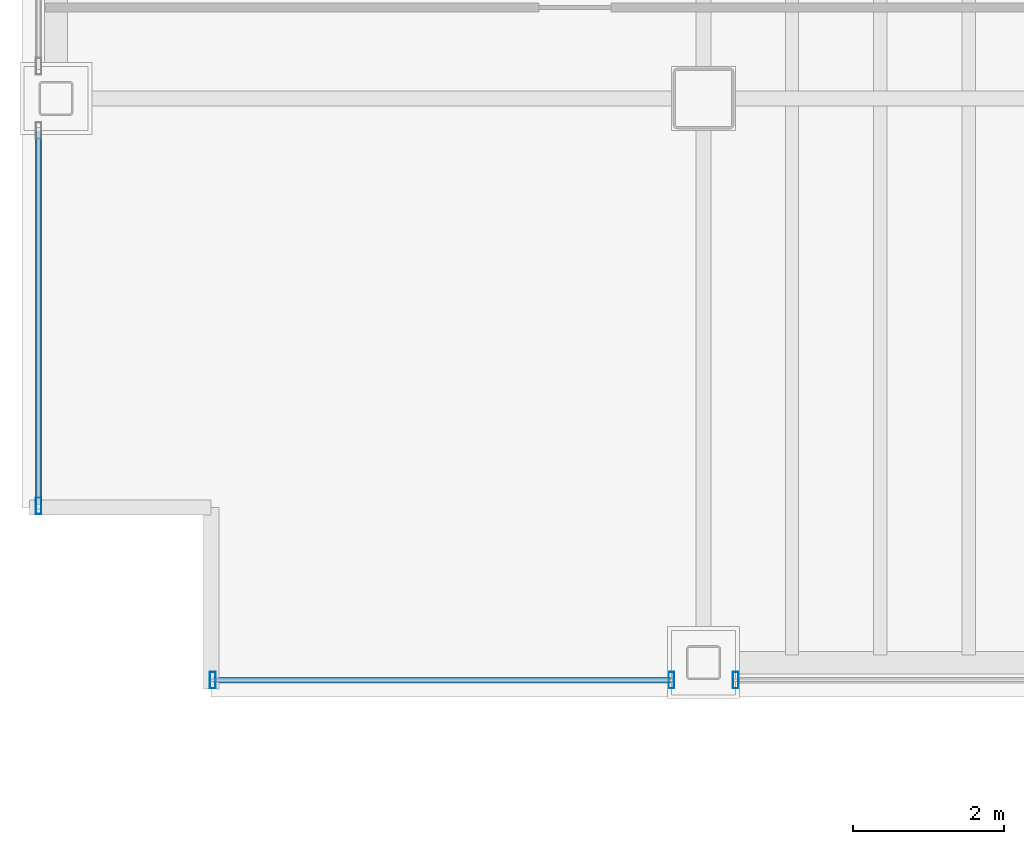
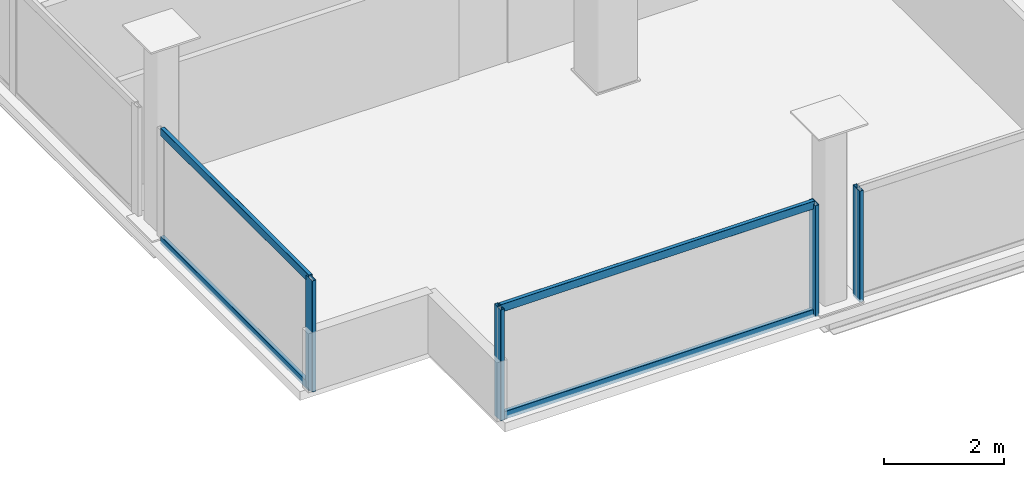
# One storey, part 2 of 16: 8 members, 3 elements without a shape of their own.
"""IFC4 building model written with IfcOpenShell, lengths in metres."""

from ifc_helpers import new_model, si_unit, direction, frame, origin, origin_2d, place, context, subcontext, project, spatial, hollow_rectangle, extrude, material, material_profile, profile_set, type_object, element, aggregate, save


model = new_model("IFC4")

# Units and contexts
model_context = context("Model", 3, precision=1e-05, world=origin(), true_north=direction((0.0, 1.0)))
body_context = subcontext(model_context, "Body", "Model", "MODEL_VIEW")
ifc_project = project(units=[si_unit("LENGTHUNIT", "METRE"), si_unit("AREAUNIT", "SQUARE_METRE"), si_unit("VOLUMEUNIT", "CUBIC_METRE"), si_unit("PLANEANGLEUNIT", "RADIAN"), si_unit("MASSUNIT", "GRAM", prefix="KILO")], contexts=[model_context])

# Site, building, storey
site_placement = place(None, origin())
site = spatial("IfcSite", under=ifc_project, at=site_placement, CompositionType="ELEMENT")
building_placement = place(site_placement, origin())
building = spatial("IfcBuilding", under=site, at=building_placement, Name="Noeulbin Bourse Tower", CompositionType="ELEMENT")
storey_placement = place(building_placement, frame((0.0, 0.0, 254.0)))
storey = spatial("IfcBuildingStorey", under=building, at=storey_placement, Name="L63", CompositionType="ELEMENT", Elevation=254.0)

# Curtain wall, members
ifc_material_1 = material(Name="High-Selectivity Low-Iron Glazing", Category="glass")
curtain_wall_type = type_object("IfcCurtainWallType", Name="CW-SYS-4", PredefinedType="NOTDEFINED", material=ifc_material_1)
curtain_wall_1_placement = place(storey_placement, origin())
curtain_wall_1 = element("IfcCurtainWall", 1, at=curtain_wall_1_placement, inside=storey, type_object=curtain_wall_type, Name="Unitised Curtain Wall CW-L63-S1-S1", PredefinedType="NOTDEFINED")
ifc_material_2 = material(Name="Anodised Aluminium 6063-T6", Category="aluminium")
ifc_material_profile_1 = material_profile(ifc_material_2, hollow_rectangle(XDim=0.074951171875, YDim=0.219970703125, WallThickness=0.0048828125, InnerFilletRadius=0.00244140625, OuterFilletRadius=0.0048828125, at=origin_2d()), Name="ALU-MULL-75x220x5", Category="LoadBearing")
ifc_profile_set_1 = profile_set([ifc_material_profile_1], Name="Anodised Aluminium 6063-T6")
member_type_1 = type_object("IfcMemberType", Name="CW-SYS-4-MUL", PredefinedType="MULLION", material=ifc_profile_set_1)
member_1_placement = place(storey_placement, frame((7.02001953125, 12.320068359375, -0.02001953125), z_axis=(0.0, 0.0, 1.0), x_axis=(1.0, 0.0, 0.0)))
member_1 = element("IfcMember", 2, at=member_1_placement, type_object=member_type_1, Name="Curtain Wall Mullion CW-L63-S1-S1-M00", PredefinedType="MULLION", context=body_context, shape_type="SweptSolid", body=[
    extrude(hollow_rectangle(XDim=0.074951171875, YDim=0.219970703125, WallThickness=0.0048828125, InnerFilletRadius=0.00244140625, OuterFilletRadius=0.0048828125, at=origin_2d()), origin(), (0.0, 0.0, 1.0), 2.260009765625),
])
member_2_placement = place(storey_placement, frame((13.074951171875, 12.320068359375, -0.02001953125), z_axis=(0.0, 0.0, 1.0), x_axis=(1.0, 0.0, 0.0)))
member_2 = element("IfcMember", 3, at=member_2_placement, type_object=member_type_1, Name="Curtain Wall Mullion CW-L63-S1-S1-M01", PredefinedType="MULLION", context=body_context, shape_type="SweptSolid", body=[
    extrude(hollow_rectangle(XDim=0.074951171875, YDim=0.219970703125, WallThickness=0.0048828125, InnerFilletRadius=0.00244140625, OuterFilletRadius=0.0048828125, at=origin_2d()), origin(), (0.0, 0.0, 1.0), 2.260009765625),
])

# Curtain wall, member
curtain_wall_2_placement = place(storey_placement, origin())
curtain_wall_2 = element("IfcCurtainWall", 4, at=curtain_wall_2_placement, inside=storey, type_object=curtain_wall_type, Name="Unitised Curtain Wall CW-L63-S1-S2", PredefinedType="NOTDEFINED")
member_3_placement = place(storey_placement, frame((13.925048828125, 12.320068359375, -0.02001953125), z_axis=(0.0, 0.0, 1.0), x_axis=(1.0, 0.0, 0.0)))
member_3 = element("IfcMember", 5, at=member_3_placement, type_object=member_type_1, Name="Curtain Wall Mullion CW-L63-S1-S2-M00", PredefinedType="MULLION", context=body_context, shape_type="SweptSolid", body=[
    extrude(hollow_rectangle(XDim=0.074951171875, YDim=0.219970703125, WallThickness=0.0048828125, InnerFilletRadius=0.00244140625, OuterFilletRadius=0.0048828125, at=origin_2d()), origin(), (0.0, 0.0, 1.0), 2.260009765625),
])
aggregate(curtain_wall_2, [member_3])

curtain_wall_3_placement = place(storey_placement, origin())
curtain_wall_3 = element("IfcCurtainWall", 6, at=curtain_wall_3_placement, inside=storey, type_object=curtain_wall_type, Name="Unitised Curtain Wall CW-L63-W-S1", PredefinedType="NOTDEFINED")
member_4_placement = place(storey_placement, frame((4.719970703125, 14.6201171875, -0.02001953125), z_axis=(0.0, 0.0, 1.0), x_axis=(1.0, 0.0, 0.0)))
member_4 = element("IfcMember", 7, at=member_4_placement, type_object=member_type_1, Name="Curtain Wall Mullion CW-L63-W-S1-M00", PredefinedType="MULLION", context=body_context, shape_type="SweptSolid", body=[
    extrude(hollow_rectangle(XDim=0.074951171875, YDim=0.219970703125, WallThickness=0.0048828125, InnerFilletRadius=0.00244140625, OuterFilletRadius=0.0048828125, at=origin_2d()), origin(), (0.0, 0.0, 1.0), 2.260009765625),
])

# Member
ifc_material_profile_2 = material_profile(ifc_material_2, hollow_rectangle(XDim=0.074951171875, YDim=0.159912109375, WallThickness=0.0048828125, InnerFilletRadius=0.00244140625, OuterFilletRadius=0.0048828125, at=origin_2d()), Name="ALU-TRAN-75x160x5", Category="LoadBearing")
ifc_profile_set_2 = profile_set([ifc_material_profile_2], Name="Anodised Aluminium 6063-T6")
member_type_2 = type_object("IfcMemberType", Name="CW-SYS-4-TRN", PredefinedType="USERDEFINED", material=ifc_profile_set_2)
member_5_placement = place(storey_placement, frame((7.030029296875, 12.320068359375, 0.010009765625), z_axis=(1.0, 0.0, 0.0), x_axis=(0.0, 1.0, 0.0)))
member_5 = element("IfcMember", 8, at=member_5_placement, type_object=member_type_2, Name="Curtain Wall Transom CW-L63-S1-S1-T00", ObjectType="TRANSOM", PredefinedType="USERDEFINED", context=body_context, shape_type="SweptSolid", body=[
    extrude(hollow_rectangle(XDim=0.074951171875, YDim=0.159912109375, WallThickness=0.0048828125, InnerFilletRadius=0.00244140625, OuterFilletRadius=0.0048828125, at=origin_2d()), origin(), (0.0, 0.0, 1.0), 6.034912109375),
])

member_6_placement = place(storey_placement, frame((7.030029296875, 12.320068359375, 2.2099609375), z_axis=(1.0, 0.0, 0.0), x_axis=(0.0, 1.0, 0.0)))
member_6 = element("IfcMember", 9, at=member_6_placement, type_object=member_type_2, Name="Curtain Wall Transom CW-L63-S1-S1-T01", ObjectType="TRANSOM", PredefinedType="USERDEFINED", context=body_context, shape_type="SweptSolid", body=[
    extrude(hollow_rectangle(XDim=0.074951171875, YDim=0.159912109375, WallThickness=0.0048828125, InnerFilletRadius=0.00244140625, OuterFilletRadius=0.0048828125, at=origin_2d()), origin(), (0.0, 0.0, 1.0), 6.034912109375),
])

aggregate(curtain_wall_1, [member_1, member_2, member_5, member_6])

member_7_placement = place(storey_placement, frame((4.719970703125, 14.6298828125, 0.010009765625), z_axis=(0.0, 1.0, 0.0), x_axis=(-1.0, 0.0, 0.0)))
member_7 = element("IfcMember", 10, at=member_7_placement, type_object=member_type_2, Name="Curtain Wall Transom CW-L63-W-S1-T00", ObjectType="TRANSOM", PredefinedType="USERDEFINED", context=body_context, shape_type="SweptSolid", body=[
    extrude(hollow_rectangle(XDim=0.074951171875, YDim=0.159912109375, WallThickness=0.0048828125, InnerFilletRadius=0.00244140625, OuterFilletRadius=0.0048828125, at=origin_2d()), origin(), (0.0, 0.0, 1.0), 4.93505859375),
])

member_8_placement = place(storey_placement, frame((4.719970703125, 14.6298828125, 2.2099609375), z_axis=(0.0, 1.0, 0.0), x_axis=(-1.0, 0.0, 0.0)))
member_8 = element("IfcMember", 11, at=member_8_placement, type_object=member_type_2, Name="Curtain Wall Transom CW-L63-W-S1-T01", ObjectType="TRANSOM", PredefinedType="USERDEFINED", context=body_context, shape_type="SweptSolid", body=[
    extrude(hollow_rectangle(XDim=0.074951171875, YDim=0.159912109375, WallThickness=0.0048828125, InnerFilletRadius=0.00244140625, OuterFilletRadius=0.0048828125, at=origin_2d()), origin(), (0.0, 0.0, 1.0), 4.93505859375),
])

aggregate(curtain_wall_3, [member_4, member_7, member_8])

save(model, "model.ifc")
